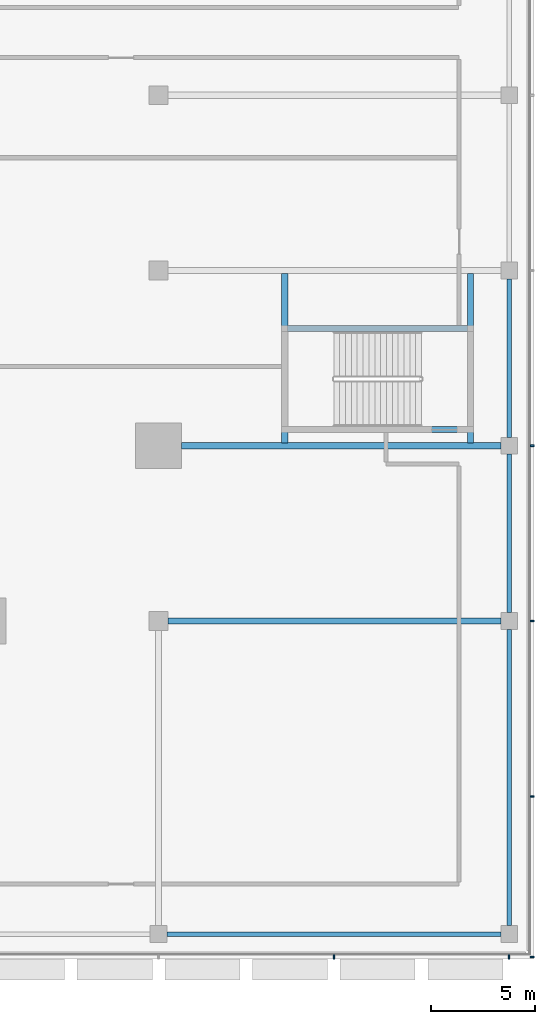
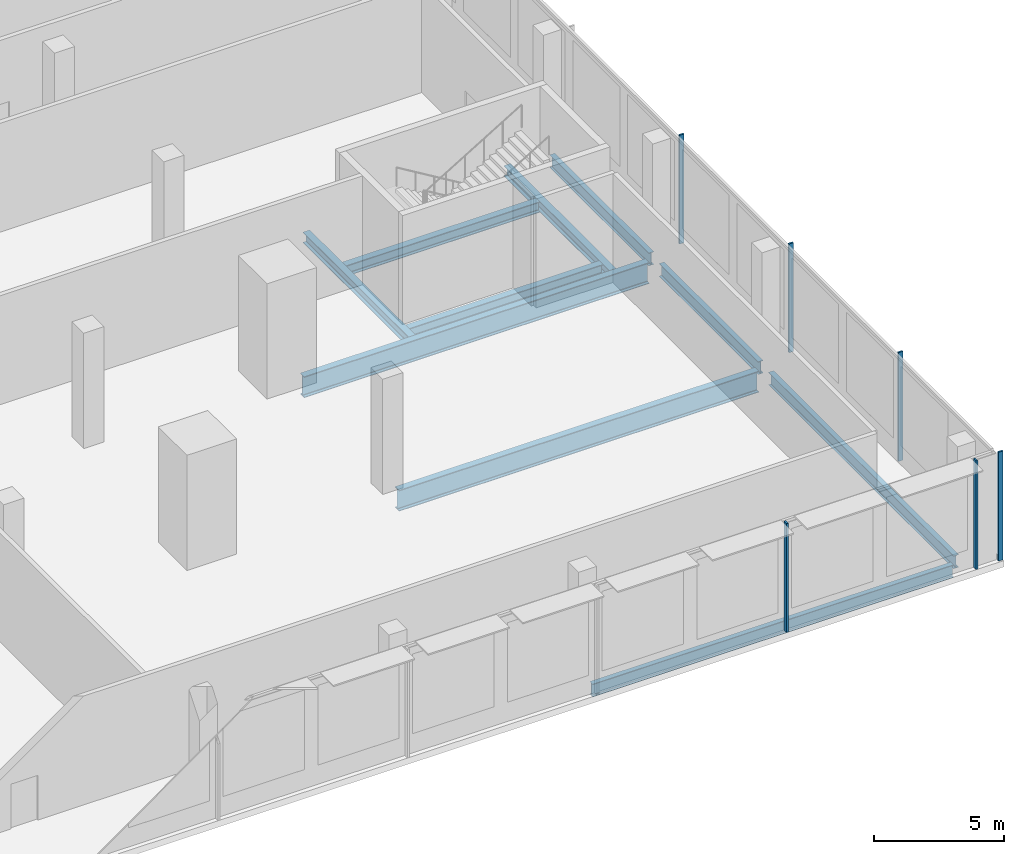
# One storey, part 12 of 39: 10 beams, 6 members, 2 elements without a shape of their own.
"""IFC4 building model written with IfcOpenShell, lengths in metres."""

from ifc_helpers import new_model, si_unit, direction, frame, origin, origin_2d, place, context, subcontext, project, spatial, rectangle, i_section, extrude, material, material_profile, profile_set, type_object, element, aggregate, save


model = new_model("IFC4")

# Units and contexts
model_context = context("Model", 3, precision=1e-05, world=origin(), true_north=direction((0.0, 1.0)))
body_context = subcontext(model_context, "Body", "Model", "MODEL_VIEW")
ifc_project = project(units=[si_unit("LENGTHUNIT", "METRE"), si_unit("AREAUNIT", "SQUARE_METRE"), si_unit("VOLUMEUNIT", "CUBIC_METRE"), si_unit("PLANEANGLEUNIT", "RADIAN"), si_unit("MASSUNIT", "GRAM", prefix="KILO")], contexts=[model_context])

# Site, building, storey
site_placement = place(None, origin())
site = spatial("IfcSite", under=ifc_project, at=site_placement, CompositionType="ELEMENT")
building_placement = place(site_placement, origin())
building = spatial("IfcBuilding", under=site, at=building_placement, Name="Saffron Gate Tower", CompositionType="ELEMENT")
storey_placement = place(building_placement, frame((0.0, 0.0, 9.0)))
storey = spatial("IfcBuildingStorey", under=building, at=storey_placement, Name="L01", CompositionType="ELEMENT", Elevation=9.0)

# Beams
ifc_material_1 = material(Name="Structural steel S355", Category="steel")
ifc_material_profile_1 = material_profile(ifc_material_1, i_section(OverallWidth=0.219970703125, OverallDepth=0.60009765625, WebThickness=0.011962890625, FlangeThickness=0.01904296875, FilletRadius=0.02392578125, at=origin_2d()))
ifc_profile_set_1 = profile_set([ifc_material_profile_1], Name="Structural steel S355")
beam_type_1 = type_object("IfcBeamType", Name="B15 IPE 600", PredefinedType="BEAM", material=ifc_profile_set_1)
beam_1_placement = place(storey_placement, frame((125.800048828125, 16.800048828125, -0.60009765625), z_axis=(1.0, 0.0, 0.0), x_axis=(0.0, 1.0, 0.0)))
element("IfcBeam", 1, at=beam_1_placement, inside=storey, type_object=beam_type_1, Name="B15 PODIUM EDGE BEAM", PredefinedType="BEAM", context=body_context, shape_type="SweptSolid", body=[
    extrude(i_section(OverallWidth=0.219970703125, OverallDepth=0.60009765625, WebThickness=0.011962890625, FlangeThickness=0.01904296875, FilletRadius=0.02392578125, at=origin_2d()), origin(), (0.0, 0.0, 1.0), 16.0),
])
beam_2_placement = place(storey_placement, frame((142.199951171875, 17.199951171875, -0.60009765625), z_axis=(0.0, 1.0, 0.0), x_axis=(-1.0, 0.0, 0.0)))
element("IfcBeam", 2, at=beam_2_placement, inside=storey, type_object=beam_type_1, Name="B15 PODIUM EDGE BEAM", PredefinedType="BEAM", context=body_context, shape_type="SweptSolid", body=[
    extrude(i_section(OverallWidth=0.219970703125, OverallDepth=0.60009765625, WebThickness=0.011962890625, FlangeThickness=0.01904296875, FilletRadius=0.02392578125, at=origin_2d()), origin(), (0.0, 0.0, 1.0), 14.199951171875),
])
beam_3_placement = place(storey_placement, frame((142.199951171875, 32.199951171875, -0.60009765625), z_axis=(0.0, 1.0, 0.0), x_axis=(-1.0, 0.0, 0.0)))
element("IfcBeam", 3, at=beam_3_placement, inside=storey, type_object=beam_type_1, Name="B15 PODIUM EDGE BEAM", PredefinedType="BEAM", context=body_context, shape_type="SweptSolid", body=[
    extrude(i_section(OverallWidth=0.219970703125, OverallDepth=0.60009765625, WebThickness=0.011962890625, FlangeThickness=0.01904296875, FilletRadius=0.02392578125, at=origin_2d()), origin(), (0.0, 0.0, 1.0), 7.60009765625),
])
beam_4_placement = place(storey_placement, frame((142.199951171875, 40.60009765625, -0.60009765625), z_axis=(0.0, 1.0, 0.0), x_axis=(-1.0, 0.0, 0.0)))
element("IfcBeam", 4, at=beam_4_placement, inside=storey, type_object=beam_type_1, Name="B15 PODIUM EDGE BEAM", PredefinedType="BEAM", context=body_context, shape_type="SweptSolid", body=[
    extrude(i_section(OverallWidth=0.219970703125, OverallDepth=0.60009765625, WebThickness=0.011962890625, FlangeThickness=0.01904296875, FilletRadius=0.02392578125, at=origin_2d()), origin(), (0.0, 0.0, 1.0), 7.599853515625),
])
ifc_material_profile_2 = material_profile(ifc_material_1, i_section(OverallWidth=0.300048828125, OverallDepth=0.989990234375, WebThickness=0.0166015625, FlangeThickness=0.031005859375, FilletRadius=0.030029296875, at=origin_2d()))
ifc_profile_set_2 = profile_set([ifc_material_profile_2], Name="Structural steel S355")
beam_type_2 = type_object("IfcBeamType", Name="B21 HEA 1000", PredefinedType="BEAM", material=ifc_profile_set_2)
beam_5_placement = place(storey_placement, frame((141.800048828125, 31.800048828125, -0.794921875), z_axis=(-1.0, 0.0, 0.0), x_axis=(0.0, -1.0, 0.0)))
element("IfcBeam", 5, at=beam_5_placement, inside=storey, type_object=beam_type_2, Name="B21 PODIUM RING GIRDER", PredefinedType="BEAM", context=body_context, shape_type="SweptSolid", body=[
    extrude(i_section(OverallWidth=0.300048828125, OverallDepth=0.989990234375, WebThickness=0.0166015625, FlangeThickness=0.031005859375, FilletRadius=0.030029296875, at=origin_2d()), origin(), (0.0, 0.0, 1.0), 15.949951171875),
])
beam_6_placement = place(storey_placement, frame((141.800048828125, 40.199951171875, -0.794921875), z_axis=(-1.0, 0.0, 0.0), x_axis=(0.0, -1.0, 0.0)))
element("IfcBeam", 6, at=beam_6_placement, inside=storey, type_object=beam_type_2, Name="B21 PODIUM RING GIRDER", PredefinedType="BEAM", context=body_context, shape_type="SweptSolid", body=[
    extrude(i_section(OverallWidth=0.300048828125, OverallDepth=0.989990234375, WebThickness=0.0166015625, FlangeThickness=0.031005859375, FilletRadius=0.030029296875, at=origin_2d()), origin(), (0.0, 0.0, 1.0), 15.300048828125),
])
ifc_material_profile_3 = material_profile(ifc_material_1, i_section(OverallWidth=0.300048828125, OverallDepth=0.5, WebThickness=0.014404296875, FlangeThickness=0.028076171875, FilletRadius=0.027099609375, at=origin_2d()))
ifc_profile_set_3 = profile_set([ifc_material_profile_3], Name="Structural steel S355")
beam_type_3 = type_object("IfcBeamType", Name="B9 HEB 500", PredefinedType="BEAM", material=ifc_profile_set_3)
for number, where, z_axis, x_axis, name in (
    (7, (131.449951171875, 40.340087890625, -0.550048828125), (0.0, 1.0, 0.0), (-1.0, 0.0, 0.0), "B9 STAIR ENCLOSURE HEADER BEAM"),
    (8, (140.35009765625, 40.340087890625, -0.550048828125), (0.0, 1.0, 0.0), (-1.0, 0.0, 0.0), "B9 STAIR ENCLOSURE HEADER BEAM"),
):
    element("IfcBeam", number, at=place(storey_placement, frame(where, z_axis=z_axis, x_axis=x_axis)), inside=storey, type_object=beam_type_3, Name=name, PredefinedType="BEAM", context=body_context, shape_type="SweptSolid", body=[
        extrude(i_section(OverallWidth=0.300048828125, OverallDepth=0.5, WebThickness=0.014404296875, FlangeThickness=0.028076171875, FilletRadius=0.027099609375, at=origin_2d()), origin(), (0.0, 0.0, 1.0), 8.119873046875),
    ])
for number, where, z_axis, x_axis, name in (
    (9, (131.590087890625, 40.97509765625, -0.550048828125), (1.0, 0.0, 0.0), (0.0, 1.0, 0.0), "B9 STAIR ENCLOSURE TRIMMER BEAM"),
    (10, (131.590087890625, 45.824951171875, -0.550048828125), (1.0, 0.0, 0.0), (0.0, 1.0, 0.0), "B9 STAIR ENCLOSURE TRIMMER BEAM"),
):
    element("IfcBeam", number, at=place(storey_placement, frame(where, z_axis=z_axis, x_axis=x_axis)), inside=storey, type_object=beam_type_3, Name=name, PredefinedType="BEAM", context=body_context, shape_type="SweptSolid", body=[
        extrude(i_section(OverallWidth=0.300048828125, OverallDepth=0.5, WebThickness=0.014404296875, FlangeThickness=0.028076171875, FilletRadius=0.027099609375, at=origin_2d()), origin(), (0.0, 0.0, 1.0), 8.619873046875),
    ])

# Curtain wall, members
ifc_material_2 = material(Name="Aluminium, bronze anodised", Category="aluminium")
curtain_wall_type = type_object("IfcCurtainWallType", Name="CWS5 curtain wall podium ring base", PredefinedType="NOTDEFINED", material=ifc_material_2)
curtain_wall_1_placement = place(storey_placement, origin())
curtain_wall_1 = element("IfcCurtainWall", 11, at=curtain_wall_1_placement, inside=storey, type_object=curtain_wall_type, Name="CWS5 run 1", PredefinedType="NOTDEFINED")
ifc_material_profile_4 = material_profile(ifc_material_2, rectangle(XDim=0.199951171875, YDim=0.080078125, at=origin_2d()))
ifc_profile_set_4 = profile_set([ifc_material_profile_4], Name="Aluminium, bronze anodised")
member_type = type_object("IfcMemberType", Name="CWS5 mullion 80x200", PredefinedType="MULLION", material=ifc_profile_set_4)
member_1_placement = place(storey_placement, frame((133.800048828125, 15.699951171875, 0.0), z_axis=(0.0, 0.0, 1.0), x_axis=(0.0, 1.0, 0.0)))
member_1 = element("IfcMember", 12, at=member_1_placement, type_object=member_type, Name="CWS5 mullion 14", PredefinedType="MULLION", context=body_context, shape_type="SweptSolid", body=[
    extrude(rectangle(XDim=0.199951171875, YDim=0.080078125, at=origin_2d()), origin(), (0.0, 0.0, 1.0), 5.10009765625),
])
member_2_placement = place(storey_placement, frame((142.199951171875, 15.699951171875, 0.0), z_axis=(0.0, 0.0, 1.0), x_axis=(0.0, 1.0, 0.0)))
member_2 = element("IfcMember", 13, at=member_2_placement, type_object=member_type, Name="CWS5 mullion 15", PredefinedType="MULLION", context=body_context, shape_type="SweptSolid", body=[
    extrude(rectangle(XDim=0.199951171875, YDim=0.080078125, at=origin_2d()), origin(), (0.0, 0.0, 1.0), 5.10009765625),
])
aggregate(curtain_wall_1, [member_1, member_2])

curtain_wall_2_placement = place(storey_placement, origin())
curtain_wall_2 = element("IfcCurtainWall", 14, at=curtain_wall_2_placement, inside=storey, type_object=curtain_wall_type, Name="CWS5 run 2", PredefinedType="NOTDEFINED")
member_3_placement = place(storey_placement, frame((143.300048828125, 15.699951171875, 0.0), z_axis=(0.0, 0.0, 1.0), x_axis=(-1.0, 0.0, 0.0)))
member_3 = element("IfcMember", 15, at=member_3_placement, type_object=member_type, Name="CWS5 mullion 1", PredefinedType="MULLION", context=body_context, shape_type="SweptSolid", body=[
    extrude(rectangle(XDim=0.199951171875, YDim=0.080078125, at=origin_2d()), origin(), (0.0, 0.0, 1.0), 5.10009765625),
])
member_4_placement = place(storey_placement, frame((143.300048828125, 23.39990234375, 0.0), z_axis=(0.0, 0.0, 1.0), x_axis=(-1.0, 0.0, 0.0)))
member_4 = element("IfcMember", 16, at=member_4_placement, type_object=member_type, Name="CWS5 mullion 2", PredefinedType="MULLION", context=body_context, shape_type="SweptSolid", body=[
    extrude(rectangle(XDim=0.199951171875, YDim=0.080078125, at=origin_2d()), origin(), (0.0, 0.0, 1.0), 5.10009765625),
])
member_5_placement = place(storey_placement, frame((143.300048828125, 31.800048828125, 0.0), z_axis=(0.0, 0.0, 1.0), x_axis=(-1.0, 0.0, 0.0)))
member_5 = element("IfcMember", 17, at=member_5_placement, type_object=member_type, Name="CWS5 mullion 3", PredefinedType="MULLION", context=body_context, shape_type="SweptSolid", body=[
    extrude(rectangle(XDim=0.199951171875, YDim=0.080078125, at=origin_2d()), origin(), (0.0, 0.0, 1.0), 5.10009765625),
])
member_6_placement = place(storey_placement, frame((143.300048828125, 40.199951171875, 0.0), z_axis=(0.0, 0.0, 1.0), x_axis=(-1.0, 0.0, 0.0)))
member_6 = element("IfcMember", 18, at=member_6_placement, type_object=member_type, Name="CWS5 mullion 4", PredefinedType="MULLION", context=body_context, shape_type="SweptSolid", body=[
    extrude(rectangle(XDim=0.199951171875, YDim=0.080078125, at=origin_2d()), origin(), (0.0, 0.0, 1.0), 5.10009765625),
])
aggregate(curtain_wall_2, [member_3, member_4, member_5, member_6])

save(model, "model.ifc")
